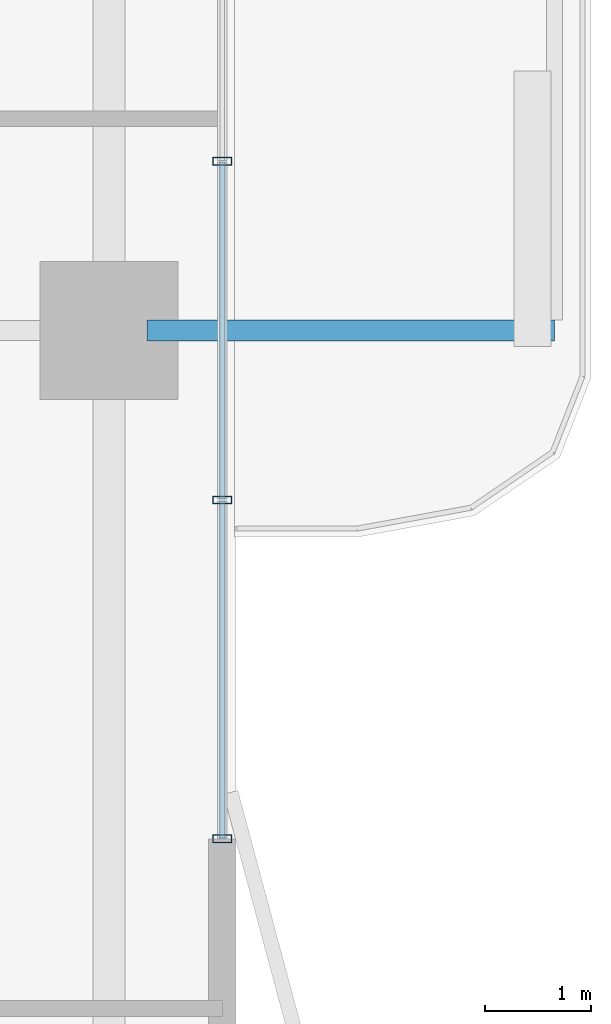
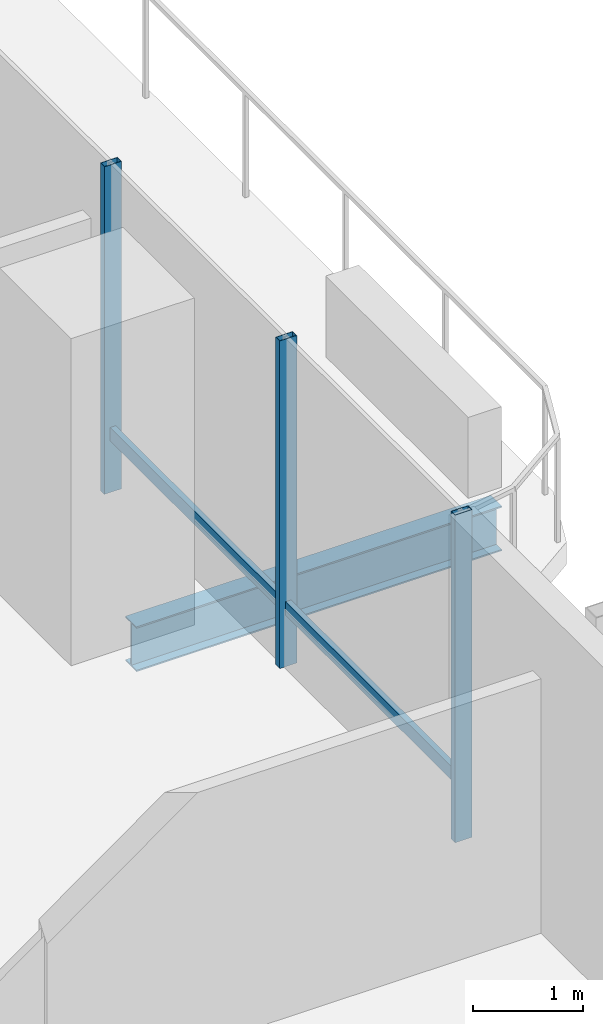
# One storey, part 8 of 24: 5 members, 1 beam, 1 element without a shape of its own.
"""IFC4 building model written with IfcOpenShell, lengths in metres."""

from ifc_helpers import new_model, si_unit, direction, frame, origin, origin_2d, place, context, subcontext, project, spatial, hollow_rectangle, i_section, extrude, material, layer, layer_set, material_profile, profile_set, type_object, element, aggregate, save


model = new_model("IFC4")

# Units and contexts
model_context = context("Model", 3, precision=1e-05, world=origin(), true_north=direction((0.0, 1.0)))
body_context = subcontext(model_context, "Body", "Model", "MODEL_VIEW")
ifc_project = project(units=[si_unit("LENGTHUNIT", "METRE"), si_unit("AREAUNIT", "SQUARE_METRE"), si_unit("VOLUMEUNIT", "CUBIC_METRE"), si_unit("PLANEANGLEUNIT", "RADIAN"), si_unit("MASSUNIT", "GRAM", prefix="KILO")], contexts=[model_context])

# Site, building, storey
site_placement = place(None, origin())
site = spatial("IfcSite", under=ifc_project, at=site_placement, CompositionType="ELEMENT")
building_placement = place(site_placement, origin())
building = spatial("IfcBuilding", under=site, at=building_placement, Name="Belovzor Exchange Tower", CompositionType="ELEMENT")
storey_placement = place(building_placement, frame((0.0, 0.0, 129.0)))
storey = spatial("IfcBuildingStorey", under=building, at=storey_placement, Name="L31", CompositionType="ELEMENT", Elevation=129.0)

# Beam
ifc_material_1 = material(Name="Steel S355", Category="steel")
ifc_material_profile_1 = material_profile(ifc_material_1, i_section(OverallWidth=0.199951171875, OverallDepth=0.5, WebThickness=0.01025390625, FlangeThickness=0.01611328125, at=origin_2d()))
ifc_profile_set_1 = profile_set([ifc_material_profile_1], Name="Steel S355")
beam_type = type_object("IfcBeamType", Name="Planted Balcony Cantilever Beam IPE 500", PredefinedType="BEAM", material=ifc_profile_set_1)
beam_placement = place(storey_placement, frame((54.05810546875, 28.800048828125, -0.5), z_axis=(1.0, 0.0, 0.0), x_axis=(0.0, 1.0, 0.0)))
element("IfcBeam", 1, at=beam_placement, inside=storey, type_object=beam_type, Name="BC-500 Planted Balcony Cantilever Beam IPE 500", PredefinedType="BEAM", context=body_context, shape_type="SweptSolid", body=[
    extrude(i_section(OverallWidth=0.199951171875, OverallDepth=0.5, WebThickness=0.01025390625, FlangeThickness=0.01611328125, at=origin_2d()), origin(), (0.0, 0.0, 1.0), 3.849853515625),
])

# Curtain wall, members
ifc_material_2 = material(Name="Anodised Aluminium Framing", Category="aluminium")
ifc_layer = layer(ifc_material_2, 0.179931640625)
ifc_layer_set = layer_set([ifc_layer], Name="Anodised Aluminium Framing")
curtain_wall_type = type_object("IfcCurtainWallType", Name="Recessed Loggia Low-Iron Triple-Glazed Curtain Wall", PredefinedType="NOTDEFINED", material=ifc_layer_set)
curtain_wall_placement = place(storey_placement, origin())
curtain_wall = element("IfcCurtainWall", 2, at=curtain_wall_placement, inside=storey, type_object=curtain_wall_type, Name="CW3 Recessed Loggia Low-Iron Triple-Glazed Curtain Wall L31", PredefinedType="NOTDEFINED")
ifc_material_3 = material(Name="Steel S355", Category="steel")
ifc_material_profile_2 = material_profile(ifc_material_3, hollow_rectangle(XDim=0.074951171875, YDim=0.179931640625, WallThickness=0.0048828125, at=origin_2d()))
ifc_profile_set_2 = profile_set([ifc_material_profile_2], Name="Steel S355")
member_type_1 = type_object("IfcMemberType", Name="Thermally Broken Curtain Wall Mullion 180x75", PredefinedType="MULLION", material=ifc_profile_set_2)
member_1_placement = place(storey_placement, frame((54.77001953125, 30.39990234375, 0.0), z_axis=(0.0, 0.0, 1.0), x_axis=(0.0, -1.0, 0.0)))
member_1 = element("IfcMember", 3, at=member_1_placement, type_object=member_type_1, Name="CW-M180 Curtain Wall Mullion 2", PredefinedType="MULLION", context=body_context, shape_type="SweptSolid", body=[
    extrude(hollow_rectangle(XDim=0.074951171875, YDim=0.179931640625, WallThickness=0.0048828125, at=origin_2d()), origin(), (0.0, 0.0, 1.0), 3.64990234375),
])
member_2_placement = place(storey_placement, frame((54.77001953125, 27.199951171875, 0.0), z_axis=(0.0, 0.0, 1.0), x_axis=(0.0, -1.0, 0.0)))
member_2 = element("IfcMember", 4, at=member_2_placement, type_object=member_type_1, Name="CW-M180 Curtain Wall Mullion 3", PredefinedType="MULLION", context=body_context, shape_type="SweptSolid", body=[
    extrude(hollow_rectangle(XDim=0.074951171875, YDim=0.179931640625, WallThickness=0.0048828125, at=origin_2d()), origin(), (0.0, 0.0, 1.0), 3.64990234375),
])
member_3_placement = place(storey_placement, frame((54.77001953125, 24.0, 0.0), z_axis=(0.0, 0.0, 1.0), x_axis=(0.0, -1.0, 0.0)))
member_3 = element("IfcMember", 5, at=member_3_placement, type_object=member_type_1, Name="CW-M180 Curtain Wall Mullion 4", PredefinedType="MULLION", context=body_context, shape_type="SweptSolid", body=[
    extrude(hollow_rectangle(XDim=0.074951171875, YDim=0.179931640625, WallThickness=0.0048828125, at=origin_2d()), origin(), (0.0, 0.0, 1.0), 3.64990234375),
])
ifc_material_4 = material(Name="Steel S355", Category="steel")
ifc_material_profile_3 = material_profile(ifc_material_4, hollow_rectangle(XDim=0.06005859375, YDim=0.14990234375, WallThickness=0.00390625, at=origin_2d()))
ifc_profile_set_3 = profile_set([ifc_material_profile_3], Name="Steel S355")
member_type_2 = type_object("IfcMemberType", Name="Thermally Broken Curtain Wall Transom 150x60", PredefinedType="USERDEFINED", material=ifc_profile_set_3)
member_4_placement = place(storey_placement, frame((54.77001953125, 30.39208984375, 0.64990234375), z_axis=(0.0, -1.0, 0.0), x_axis=(1.0, 0.0, 0.0)))
member_4 = element("IfcMember", 6, at=member_4_placement, type_object=member_type_2, Name="CW-T150 Curtain Wall Transom 2", ObjectType="TRANSOM", PredefinedType="USERDEFINED", context=body_context, shape_type="SweptSolid", body=[
    extrude(hollow_rectangle(XDim=0.06005859375, YDim=0.14990234375, WallThickness=0.00390625, at=origin_2d()), origin(), (0.0, 0.0, 1.0), 3.18408203125),
])
member_5_placement = place(storey_placement, frame((54.77001953125, 27.19189453125, 0.64990234375), z_axis=(0.0, -1.0, 0.0), x_axis=(1.0, 0.0, 0.0)))
member_5 = element("IfcMember", 7, at=member_5_placement, type_object=member_type_2, Name="CW-T150 Curtain Wall Transom 3", ObjectType="TRANSOM", PredefinedType="USERDEFINED", context=body_context, shape_type="SweptSolid", body=[
    extrude(hollow_rectangle(XDim=0.06005859375, YDim=0.14990234375, WallThickness=0.00390625, at=origin_2d()), origin(), (0.0, 0.0, 1.0), 3.183837890625),
])
aggregate(curtain_wall, [member_1, member_2, member_3, member_4, member_5])

save(model, "model.ifc")
